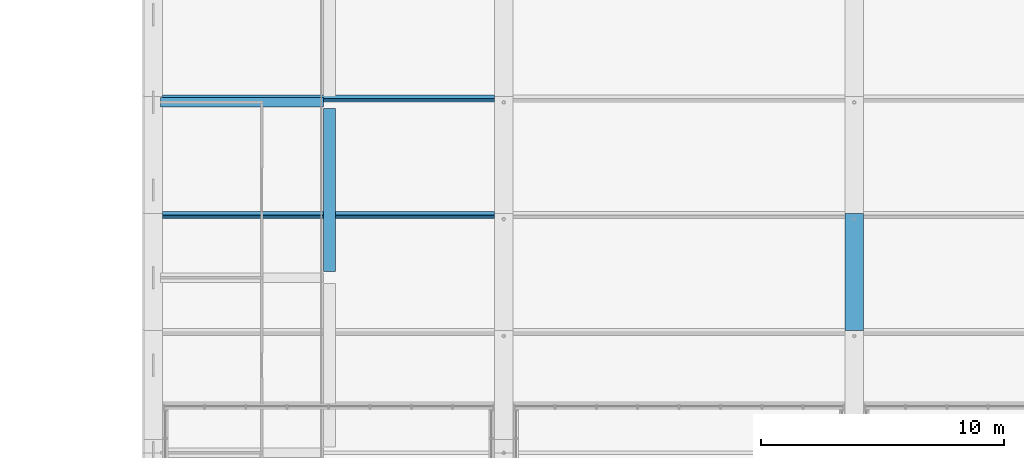
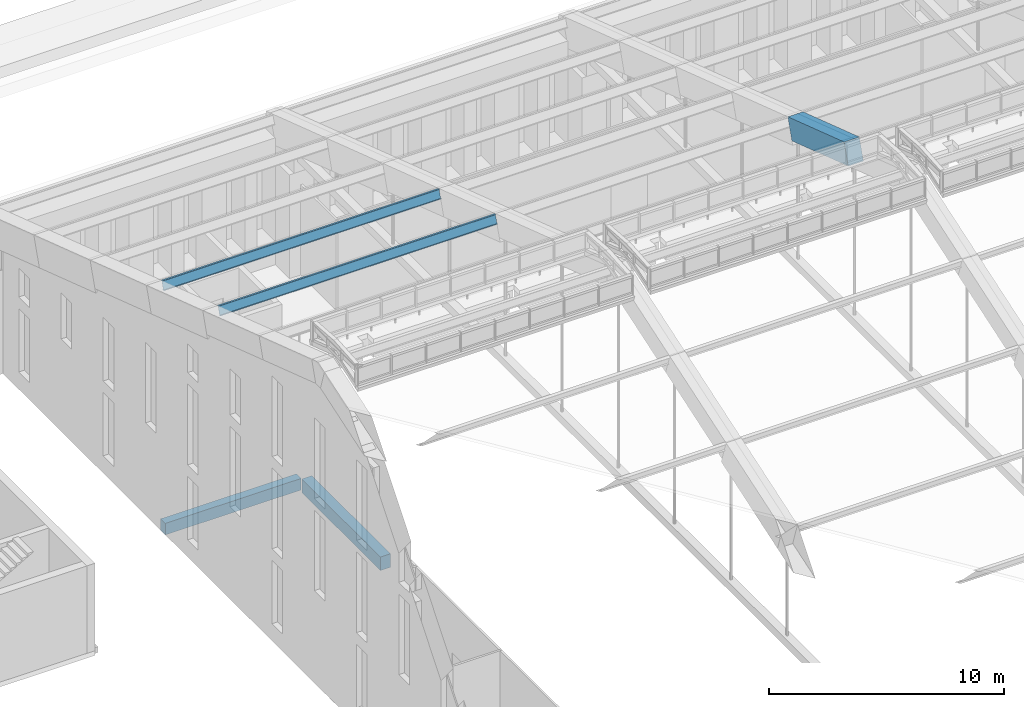
# One storey, part 40 of 149: 3 beams, 2 members.
"""IFC4 building model written with IfcOpenShell, lengths in metres."""

from ifc_helpers import new_model, si_unit, direction, frame, origin, origin_2d, place, context, subcontext, project, spatial, rectangle, i_section, extrude, material, material_profile, profile_set, type_object, element, save


model = new_model("IFC4")

# Units and contexts
model_context = context("Model", 3, precision=1e-05, world=origin(), true_north=direction((0.0, 1.0)))
body_context = subcontext(model_context, "Body", "Model", "MODEL_VIEW")
ifc_project = project(units=[si_unit("LENGTHUNIT", "METRE"), si_unit("AREAUNIT", "SQUARE_METRE"), si_unit("VOLUMEUNIT", "CUBIC_METRE"), si_unit("PLANEANGLEUNIT", "RADIAN"), si_unit("MASSUNIT", "GRAM", prefix="KILO")], contexts=[model_context])

# Site, building, storey
site_placement = place(None, origin())
site = spatial("IfcSite", under=ifc_project, at=site_placement, CompositionType="ELEMENT")
building_placement = place(site_placement, origin())
building = spatial("IfcBuilding", under=site, at=building_placement, Name="Alderwick Market Hall", CompositionType="ELEMENT")
storey_placement = place(building_placement, frame((0.0, 0.0, 9.60009765625)))
storey = spatial("IfcBuildingStorey", under=building, at=storey_placement, Name="L01", CompositionType="ELEMENT", Elevation=9.60009765625)

# Beams
ifc_material_1 = material(Name="Concrete 5000 psi (f'c 35 MPa)", Category="concrete")
ifc_material_profile_1 = material_profile(ifc_material_1, rectangle(XDim=0.5, YDim=0.699951171875, at=origin_2d()), Name="RC 500x700")
ifc_profile_set_1 = profile_set([ifc_material_profile_1], Name="Concrete 5000 psi (f'c 35 MPa)")
beam_type_1 = type_object("IfcBeamType", Name="H Edge beam 500x700", PredefinedType="BEAM", material=ifc_profile_set_1)
beam_1_placement = place(storey_placement, frame((57.639892578125, 86.64990234375, -0.60009765625), z_axis=(0.0, 1.0, 0.0), x_axis=(-1.0, 0.0, 0.0)))
element("IfcBeam", 1, at=beam_1_placement, inside=storey, type_object=beam_type_1, Name="Gallery edge beam W", PredefinedType="BEAM", context=body_context, shape_type="SweptSolid", body=[
    extrude(rectangle(XDim=0.5, YDim=0.699951171875, at=origin_2d()), origin(), (0.0, 0.0, 1.0), 6.7001953125),
])
ifc_material_profile_2 = material_profile(ifc_material_1, rectangle(XDim=0.39990234375, YDim=0.60009765625, at=origin_2d()), Name="RC 400x600")
ifc_profile_set_2 = profile_set([ifc_material_profile_2], Name="Concrete 5000 psi (f'c 35 MPa)")
beam_type_2 = type_object("IfcBeamType", Name="H Gallery beam 400x600", PredefinedType="BEAM", material=ifc_profile_set_2)
beam_2_placement = place(storey_placement, frame((50.699951171875, 93.60009765625, -0.550048828125), z_axis=(1.0, 0.0, 0.0), x_axis=(0.0, 1.0, 0.0)))
element("IfcBeam", 2, at=beam_2_placement, inside=storey, type_object=beam_type_2, Name="Gallery beam W", PredefinedType="BEAM", context=body_context, shape_type="SweptSolid", body=[
    extrude(rectangle(XDim=0.39990234375, YDim=0.60009765625, at=origin_2d()), origin(), (0.0, 0.0, 1.0), 6.68994140625),
])
ifc_material_profile_3 = material_profile(ifc_material_1, rectangle(XDim=0.75, YDim=1.10009765625, at=origin_2d()), Name="RC 750x1100")
ifc_profile_set_3 = profile_set([ifc_material_profile_3], Name="Concrete 5000 psi (f'c 35 MPa)")
beam_type_3 = type_object("IfcBeamType", Name="R Arch Rib Crown 750x1100", PredefinedType="BEAM", material=ifc_profile_set_3)
beam_3_placement = place(storey_placement, frame((79.199951171875, 84.063232421875, 14.78955078125), z_axis=(0.0, 0.948692948114, -0.316198814353), x_axis=(-1.0, 0.0, 0.0)))
element("IfcBeam", 3, at=beam_3_placement, inside=storey, type_object=beam_type_3, Name="Arch rib 3 chord 8", PredefinedType="BEAM", context=body_context, shape_type="SweptSolid", body=[
    extrude(rectangle(XDim=0.75, YDim=1.10009765625, at=origin_2d()), origin(), (0.0, 0.0, 1.0), 5.0595703125),
])

# Members
ifc_material_2 = material(Name="Steel ASTM A992 Grade 50", Category="steel")
ifc_material_profile_4 = material_profile(ifc_material_2, i_section(OverallWidth=0.153076171875, OverallDepth=0.455078125, WebThickness=0.008056640625, FlangeThickness=0.01318359375, at=origin_2d()), Name="W18x40")
ifc_profile_set_4 = profile_set([ifc_material_profile_4], Name="Steel ASTM A992 Grade 50")
member_type = type_object("IfcMemberType", Name="R Purlin W18x40", PredefinedType="PURLIN", material=ifc_profile_set_4)
for number, where, z_axis, x_axis, name in (
    (4, (50.77490234375, 88.96337890625, 13.489990234375), (1.0, 0.0, 0.0), (0.0, 0.948683297073, -0.316227768949), "Roof purlin 9.1"),
    (5, (50.77490234375, 93.763427734375, 11.889892578125), (1.0, 0.0, 0.0), (0.0, 0.948683297073, -0.316227768949), "Roof purlin 10.1"),
):
    element("IfcMember", number, at=place(storey_placement, frame(where, z_axis=z_axis, x_axis=x_axis)), inside=storey, type_object=member_type, Name=name, PredefinedType="PURLIN", context=body_context, shape_type="SweptSolid", body=[
        extrude(i_section(OverallWidth=0.153076171875, OverallDepth=0.455078125, WebThickness=0.008056640625, FlangeThickness=0.01318359375, at=origin_2d()), origin(), (0.0, 0.0, 1.0), 13.650146484375),
    ])

save(model, "model.ifc")
